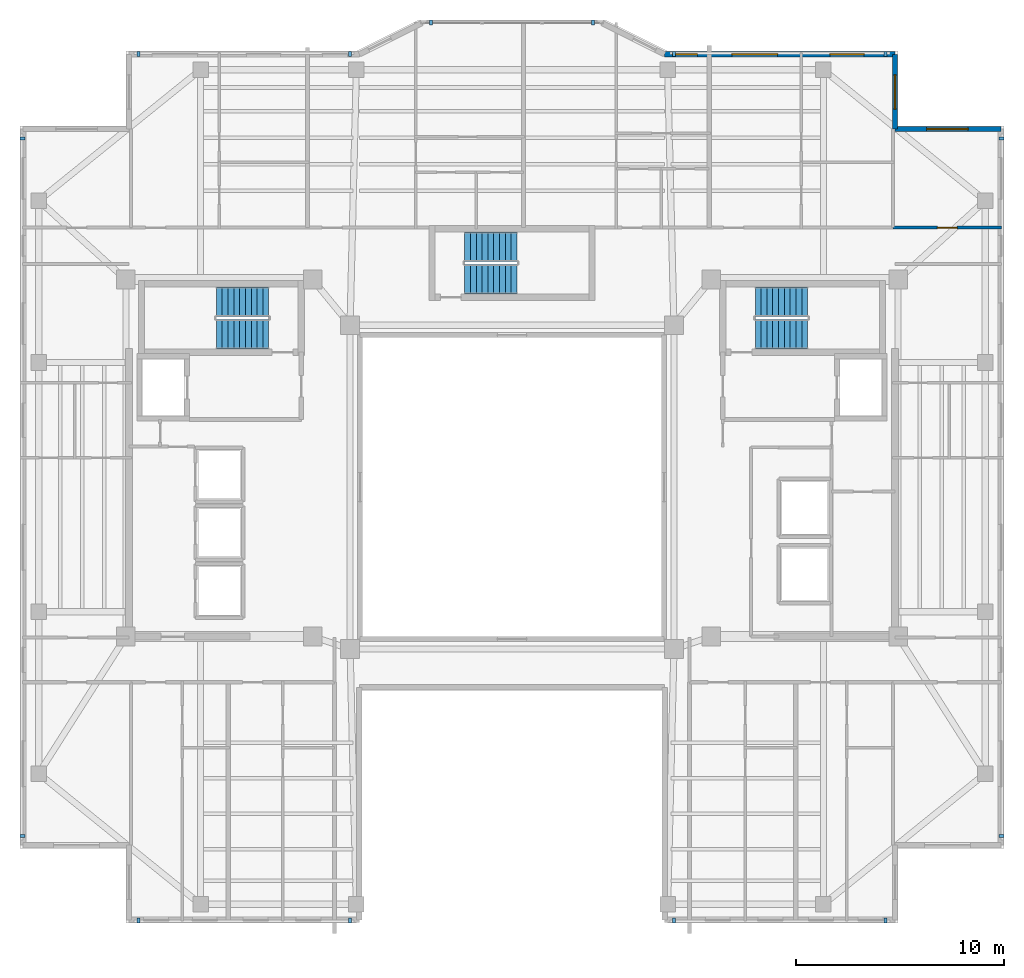
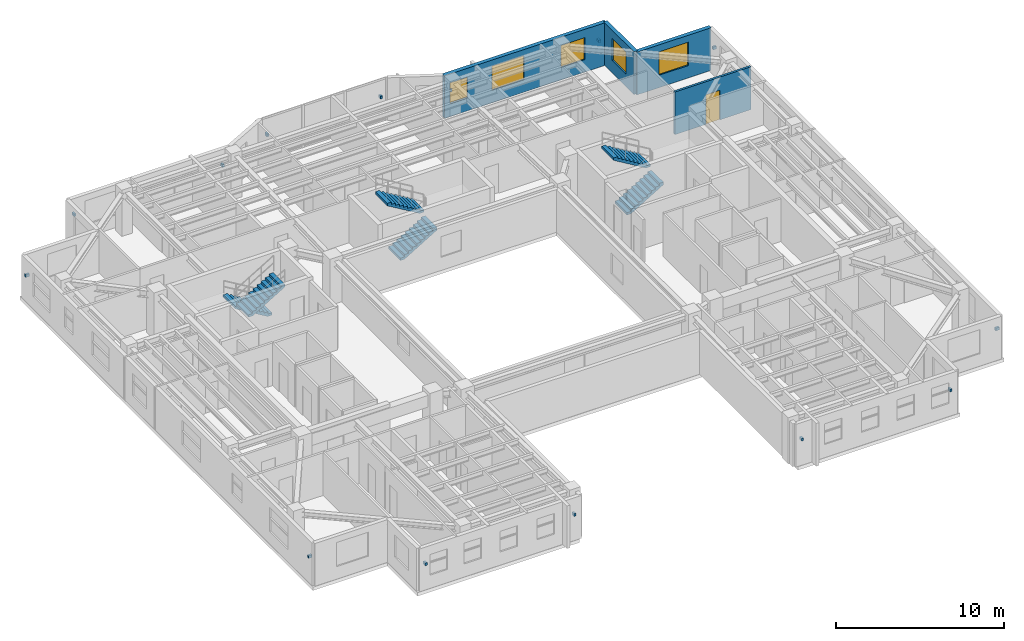
# One storey, part 9 of 12: 14 discrete accessories, 6 stair flights, 5 windows, 4 walls, 1 door, 6 openings, 3 elements without a shape of their own.
"""IFC4 building model written with IfcOpenShell, lengths in metres."""

from ifc_helpers import new_model, si_unit, direction, frame, frame_2d, origin, origin_2d, place, context, subcontext, project, spatial, polyline, rectangle, outline, extrude, material, layer, layer_set, type_object, element, fill, aggregate, save


model = new_model("IFC4")

# Units and contexts
model_context = context("Model", 3, precision=1e-05, world=origin(), true_north=direction((0.0, 1.0)))
body_context = subcontext(model_context, "Body", "Model", "MODEL_VIEW")
ifc_project = project(units=[si_unit("LENGTHUNIT", "METRE"), si_unit("AREAUNIT", "SQUARE_METRE"), si_unit("VOLUMEUNIT", "CUBIC_METRE"), si_unit("PLANEANGLEUNIT", "RADIAN"), si_unit("MASSUNIT", "GRAM", prefix="KILO")], contexts=[model_context])

# Site, building, storey
site_placement = place(None, origin())
site = spatial("IfcSite", under=ifc_project, at=site_placement, CompositionType="ELEMENT")
building_placement = place(site_placement, origin())
building = spatial("IfcBuilding", under=site, at=building_placement, Name="Tarnavaz Court Tower", CompositionType="ELEMENT")
storey_placement = place(building_placement, frame((0.0, 0.0, 210.35009765625)))
storey = spatial("IfcBuildingStorey", under=building, at=storey_placement, Name="L57", CompositionType="ELEMENT", Elevation=210.35009765625)

# Wall, openings, windows
ifc_material_1 = material(Name="Precast Concrete C40/50", Category="concrete")
ifc_layer_1 = layer(ifc_material_1, 0.260009765625)
ifc_layer_set_1 = layer_set([ifc_layer_1], Name="Precast Concrete C40/50")
wall_type_1 = type_object("IfcWallType", Name="WL-EXT-260", PredefinedType="SOLIDWALL", material=ifc_layer_set_1)
wall_1_placement = place(storey_placement, frame((7.35009765625, 20.85009765625, 0.0), z_axis=(0.0, 0.0, 1.0), x_axis=(1.0, 0.0, 0.0)))
wall_1 = element("IfcWall", 1, at=wall_1_placement, inside=storey, type_object=wall_type_1, Name="L57 Exterior Terracotta Facade Wall 09", PredefinedType="SOLIDWALL", context=body_context, shape_type="SweptSolid", body=[
    extrude(rectangle(XDim=11.099853515625, YDim=0.260009765625, at=frame_2d((5.5498046875, 0.0))), origin(), (0.0, 0.0, 1.0), 3.099853515625),
])
opening_1_placement = place(wall_1_placement, frame((0.375, 0.0, 0.949951171875)))
opening_1 = element("IfcOpeningElement", 2, at=opening_1_placement, cuts=wall_1, Name="Opening W05", PredefinedType="OPENING", context=body_context, shape_type="SweptSolid", body=[
    extrude(rectangle(XDim=1.199951171875, YDim=1.5, at=frame_2d((0.60009765625, 0.75))), frame((0.0, 0.139892578125, 0.0), z_axis=(0.0, -1.0, 0.0), x_axis=(1.0, 0.0, 0.0)), (0.0, 0.0, 1.0), 0.280029296875),
])
opening_2_placement = place(wall_1_placement, frame((3.24462890625, 0.0, 0.89990234375)))
opening_2 = element("IfcOpeningElement", 3, at=opening_2_placement, cuts=wall_1, Name="Opening W07", PredefinedType="OPENING", context=body_context, shape_type="SweptSolid", body=[
    extrude(rectangle(XDim=2.199951171875, YDim=1.75, at=frame_2d((1.10009765625, 0.875))), frame((0.0, 0.139892578125, 0.0), z_axis=(0.0, -1.0, 0.0), x_axis=(1.0, 0.0, 0.0)), (0.0, 0.0, 1.0), 0.280029296875),
])
opening_3_placement = place(wall_1_placement, frame((7.964599609375, 0.0, 0.89990234375)))
opening_3 = element("IfcOpeningElement", 4, at=opening_3_placement, cuts=wall_1, Name="Opening W02", PredefinedType="OPENING", context=body_context, shape_type="SweptSolid", body=[
    extrude(rectangle(XDim=1.64990234375, YDim=1.60009765625, at=frame_2d((0.824951171875, 0.800048828125))), frame((0.0, 0.139892578125, 0.0), z_axis=(0.0, -1.0, 0.0), x_axis=(1.0, 0.0, 0.0)), (0.0, 0.0, 1.0), 0.280029296875),
])
ifc_material_2 = material(Name="Double-Glazed Solar Low-E Glass", Category="glass")
window_type_1 = type_object("IfcWindowType", Name="WN-APT-1200", PartitioningType="SINGLE_PANEL", PredefinedType="WINDOW", material=ifc_material_2)
window_1_placement = place(opening_1_placement, origin())
window_1 = element("IfcWindow", 5, at=window_1_placement, inside=storey, type_object=window_type_1, Name="L57 Flat 03 Bedroom 1 Window", OverallHeight=1.5, OverallWidth=1.199951171875, PartitioningType="SINGLE_PANEL", PredefinedType="WINDOW", context=body_context, shape_type="SweptSolid", body=[
    extrude(rectangle(XDim=1.199951171875, YDim=1.5, at=frame_2d((0.60009765625, 0.75))), frame((0.0, 0.030029296875, 0.0), z_axis=(0.0, -1.0, 0.0), x_axis=(1.0, 0.0, 0.0)), (0.0, 0.0, 1.0), 0.06005859375),
])
fill(opening_1, window_1)
window_type_2 = type_object("IfcWindowType", Name="WN-APT-1650", PartitioningType="DOUBLE_PANEL_VERTICAL", PredefinedType="WINDOW", material=ifc_material_2)
window_2_placement = place(opening_3_placement, origin())
window_2 = element("IfcWindow", 6, at=window_2_placement, inside=storey, type_object=window_type_2, Name="L57 Flat 04 Kitchen Window", OverallHeight=1.60009765625, OverallWidth=1.64990234375, PartitioningType="SINGLE_PANEL", PredefinedType="WINDOW", context=body_context, shape_type="SweptSolid", body=[
    extrude(rectangle(XDim=1.64990234375, YDim=1.60009765625, at=frame_2d((0.824951171875, 0.800048828125))), frame((0.0, 0.030029296875, 0.0), z_axis=(0.0, -1.0, 0.0), x_axis=(1.0, 0.0, 0.0)), (0.0, 0.0, 1.0), 0.06005859375),
])
fill(opening_3, window_2)
window_type_3 = type_object("IfcWindowType", Name="WN-APT-2200", PartitioningType="TRIPLE_PANEL_VERTICAL", PredefinedType="WINDOW", material=ifc_material_2)
window_3_placement = place(opening_2_placement, origin())
window_3 = element("IfcWindow", 7, at=window_3_placement, inside=storey, type_object=window_type_3, Name="L57 Flat 04 Studio Living and Sleeping Room Window", OverallHeight=1.75, OverallWidth=2.199951171875, PartitioningType="SINGLE_PANEL", PredefinedType="WINDOW", context=body_context, shape_type="SweptSolid", body=[
    extrude(rectangle(XDim=2.199951171875, YDim=1.75, at=frame_2d((1.10009765625, 0.875))), frame((0.0, 0.030029296875, 0.0), z_axis=(0.0, -1.0, 0.0), x_axis=(1.0, 0.0, 0.0)), (0.0, 0.0, 1.0), 0.06005859375),
])
fill(opening_2, window_3)

# Wall, opening, window
wall_2_placement = place(storey_placement, frame((18.449951171875, 20.85009765625, 0.0), z_axis=(0.0, 0.0, 1.0), x_axis=(0.0, -1.0, 0.0)))
wall_2 = element("IfcWall", 8, at=wall_2_placement, inside=storey, type_object=wall_type_1, Name="L57 Exterior Terracotta Facade Wall 10", PredefinedType="SOLIDWALL", context=body_context, shape_type="SweptSolid", body=[
    extrude(rectangle(XDim=3.60009765625, YDim=0.260009765625, at=frame_2d((1.800048828125, 0.0))), origin(), (0.0, 0.0, 1.0), 3.099853515625),
])
opening_4_placement = place(wall_2_placement, frame((0.992431640625, 0.0, 0.89990234375)))
opening_4 = element("IfcOpeningElement", 9, at=opening_4_placement, cuts=wall_2, Name="Opening W02", PredefinedType="OPENING", context=body_context, shape_type="SweptSolid", body=[
    extrude(rectangle(XDim=1.64990234375, YDim=1.60009765625, at=frame_2d((0.824951171875, 0.800048828125))), frame((0.0, 0.139892578125, 0.0), z_axis=(0.0, -1.0, 0.0), x_axis=(1.0, 0.0, 0.0)), (0.0, 0.0, 1.0), 0.280029296875),
])
window_4_placement = place(opening_4_placement, origin())
window_4 = element("IfcWindow", 10, at=window_4_placement, inside=storey, type_object=window_type_2, Name="L57 Flat 04 Kitchen Window", OverallHeight=1.60009765625, OverallWidth=1.64990234375, PartitioningType="SINGLE_PANEL", PredefinedType="WINDOW", context=body_context, shape_type="SweptSolid", body=[
    extrude(rectangle(XDim=1.64990234375, YDim=1.60009765625, at=frame_2d((0.824951171875, 0.800048828125))), frame((0.0, 0.030029296875, 0.0), z_axis=(0.0, -1.0, 0.0), x_axis=(1.0, 0.0, 0.0)), (0.0, 0.0, 1.0), 0.06005859375),
])
fill(opening_4, window_4)

wall_3_placement = place(storey_placement, frame((18.449951171875, 17.25, 0.0), z_axis=(0.0, 0.0, 1.0), x_axis=(1.0, 0.0, 0.0)))
wall_3 = element("IfcWall", 11, at=wall_3_placement, inside=storey, type_object=wall_type_1, Name="L57 Exterior Terracotta Facade Wall 11", PredefinedType="SOLIDWALL", context=body_context, shape_type="SweptSolid", body=[
    extrude(rectangle(XDim=5.10009765625, YDim=0.260009765625, at=frame_2d((2.550048828125, 0.0))), origin(), (0.0, 0.0, 1.0), 3.099853515625),
])
opening_5_placement = place(wall_3_placement, frame((1.52490234375, 0.0, 0.89990234375)))
opening_5 = element("IfcOpeningElement", 12, at=opening_5_placement, cuts=wall_3, Name="Opening W08", PredefinedType="OPENING", context=body_context, shape_type="SweptSolid", body=[
    extrude(rectangle(XDim=2.0, YDim=1.699951171875, at=frame_2d((1.0, 0.85009765625))), frame((0.0, 0.139892578125, 0.0), z_axis=(0.0, -1.0, 0.0), x_axis=(1.0, 0.0, 0.0)), (0.0, 0.0, 1.0), 0.280029296875),
])
window_type_4 = type_object("IfcWindowType", Name="WN-APT-2000", PartitioningType="DOUBLE_PANEL_VERTICAL", PredefinedType="WINDOW", material=ifc_material_2)
window_5_placement = place(opening_5_placement, origin())
window_5 = element("IfcWindow", 13, at=window_5_placement, inside=storey, type_object=window_type_4, Name="L57 North-East Corner Sunroom Study Window", OverallHeight=1.699951171875, OverallWidth=2.0, PartitioningType="SINGLE_PANEL", PredefinedType="WINDOW", context=body_context, shape_type="SweptSolid", body=[
    extrude(rectangle(XDim=2.0, YDim=1.699951171875, at=frame_2d((1.0, 0.85009765625))), frame((0.0, 0.030029296875, 0.0), z_axis=(0.0, -1.0, 0.0), x_axis=(1.0, 0.0, 0.0)), (0.0, 0.0, 1.0), 0.06005859375),
])
fill(opening_5, window_5)

# Wall, opening, door
ifc_material_3 = material(Name="Gypsum Fire-Board on Acoustic Metal Stud", Category="masonry")
ifc_layer_2 = layer(ifc_material_3, 0.14990234375)
ifc_layer_set_2 = layer_set([ifc_layer_2], Name="Gypsum Fire-Board on Acoustic Metal Stud")
wall_type_2 = type_object("IfcWallType", Name="WL-FIRE-150", PredefinedType="PARTITIONING", material=ifc_layer_set_2)
wall_4_placement = place(storey_placement, frame((18.35009765625, 12.5, 0.0), z_axis=(0.0, 0.0, 1.0), x_axis=(1.0, 0.0, 0.0)))
wall_4 = element("IfcWall", 14, at=wall_4_placement, inside=storey, type_object=wall_type_2, Name="L57 Interior Partition 108", PredefinedType="PARTITIONING", context=body_context, shape_type="SweptSolid", body=[
    extrude(rectangle(XDim=5.22998046875, YDim=0.14990234375, at=frame_2d((2.614990234375, 0.0))), origin(), (0.0, 0.0, 1.0), 3.099853515625),
])
opening_6_placement = place(wall_4_placement, frame((2.139892578125, 0.0, 0.0)))
opening_6 = element("IfcOpeningElement", 15, at=opening_6_placement, cuts=wall_4, Name="Opening D13", PredefinedType="OPENING", context=body_context, shape_type="SweptSolid", body=[
    extrude(rectangle(XDim=0.949951171875, YDim=2.14990234375, at=frame_2d((0.47509765625, 1.074951171875))), frame((0.0, 0.0849609375, 0.0), z_axis=(0.0, -1.0, 0.0), x_axis=(1.0, 0.0, 0.0)), (0.0, 0.0, 1.0), 0.169921875),
])
ifc_material_4 = material(Name="Engineered Oak Timber", Category="wood")
door_type = type_object("IfcDoorType", Name="DR-INT-950", OperationType="NOTDEFINED", PredefinedType="DOOR", material=ifc_material_4)
door_placement = place(opening_6_placement, origin())
door = element("IfcDoor", 16, at=door_placement, inside=storey, type_object=door_type, Name="L57 NE Sunroom Door", OperationType="SINGLE_SWING_LEFT", OverallHeight=2.14990234375, OverallWidth=0.949951171875, PredefinedType="DOOR", context=body_context, shape_type="SweptSolid", body=[
    extrude(rectangle(XDim=0.949951171875, YDim=2.14990234375, at=frame_2d((0.47509765625, 1.074951171875))), frame((0.0, 0.02490234375, 0.0), z_axis=(0.0, -1.0, 0.0), x_axis=(1.0, 0.0, 0.0)), (0.0, 0.0, 1.0), 0.050048828125),
])
fill(opening_6, door)

# Stair, stair flights
ifc_material_5 = material(Name="Concrete C40/50", Category="concrete")
stair_type = type_object("IfcStairType", Name="ST-TWR-20R", PredefinedType="HALF_TURN_STAIR", material=ifc_material_5)
stair_1_placement = place(storey_placement, origin())
stair_1 = element("IfcStair", 17, at=stair_1_placement, inside=storey, type_object=stair_type, Name="L57 West Core Pressurized Exit Stair ST-W1", PredefinedType="HALF_TURN_STAIR")
stair_flight_type = type_object("IfcStairFlightType", Name="SFL-RC-20R", PredefinedType="STRAIGHT", material=ifc_material_5)
stair_flight_1_placement = place(storey_placement, frame((-11.719970703125, 8.929931640625, 0.0), z_axis=(0.0, 0.0, 1.0), x_axis=(-1.0, 0.0, 0.0)))
stair_flight_1 = element("IfcStairFlight", 18, at=stair_flight_1_placement, type_object=stair_flight_type, Name="ST-W1 flight 1", NumberOfRisers=10, NumberOfTreads=9, PredefinedType="STRAIGHT", RiserHeight=0.1675, TreadLength=0.28, context=body_context, shape_type="SweptSolid", body=[
    extrude(outline(polyline([(0.0, 0.0), (0.0, 0.16748046875), (0.280029296875, 0.16748046875), (0.280029296875, 0.3349609375), (0.56005859375, 0.3349609375), (0.56005859375, 0.50244140625), (0.840087890625, 0.50244140625), (0.840087890625, 0.669921875), (1.1201171875, 0.669921875), (1.1201171875, 0.83740234375), (1.39990234375, 0.83740234375), (1.39990234375, 1.0048828125), (1.679931640625, 1.0048828125), (1.679931640625, 1.172607421875), (1.9599609375, 1.172607421875), (1.9599609375, 1.340087890625), (2.239990234375, 1.340087890625), (2.239990234375, 1.507568359375), (2.52001953125, 1.507568359375), (2.52001953125, 1.675048828125), (2.52001953125, 1.332763671875), (0.2919921875, 0.0), (0.0, 0.0)])), frame((0.0, 0.7099609375, 0.0), z_axis=(0.0, -1.0, 0.0), x_axis=(1.0, 0.0, 0.0)), (0.0, 0.0, 1.0), 1.419921875),
])
stair_flight_2_placement = place(storey_placement, frame((-14.239990234375, 7.360107421875, 1.6748046875), z_axis=(0.0, 0.0, 1.0), x_axis=(1.0, 0.0, 0.0)))
stair_flight_2 = element("IfcStairFlight", 19, at=stair_flight_2_placement, type_object=stair_flight_type, Name="ST-W1 flight 2", NumberOfRisers=10, NumberOfTreads=9, PredefinedType="STRAIGHT", RiserHeight=0.1675, TreadLength=0.28, context=body_context, shape_type="SweptSolid", body=[
    extrude(outline(polyline([(0.0, 0.0), (0.0, 0.16748046875), (0.280029296875, 0.16748046875), (0.280029296875, 0.3349609375), (0.56005859375, 0.3349609375), (0.56005859375, 0.50244140625), (0.840087890625, 0.50244140625), (0.840087890625, 0.669921875), (1.1201171875, 0.669921875), (1.1201171875, 0.83740234375), (1.39990234375, 0.83740234375), (1.39990234375, 1.0048828125), (1.679931640625, 1.0048828125), (1.679931640625, 1.172607421875), (1.9599609375, 1.172607421875), (1.9599609375, 1.340087890625), (2.239990234375, 1.340087890625), (2.239990234375, 1.507568359375), (2.52001953125, 1.507568359375), (2.52001953125, 1.675048828125), (2.52001953125, 1.332763671875), (0.2919921875, 0.0), (0.0, 0.0)])), frame((0.0, 0.7099609375, 0.0), z_axis=(0.0, -1.0, 0.0), x_axis=(1.0, 0.0, 0.0)), (0.0, 0.0, 1.0), 1.419921875),
])
aggregate(stair_1, [stair_flight_1, stair_flight_2])

stair_2_placement = place(storey_placement, origin())
stair_2 = element("IfcStair", 20, at=stair_2_placement, inside=storey, type_object=stair_type, Name="L57 East Core Pressurized Exit Stair ST-E1", PredefinedType="HALF_TURN_STAIR")
stair_flight_3_placement = place(storey_placement, frame((11.719970703125, 7.360107421875, 0.0), z_axis=(0.0, 0.0, 1.0), x_axis=(1.0, 0.0, 0.0)))
stair_flight_3 = element("IfcStairFlight", 21, at=stair_flight_3_placement, type_object=stair_flight_type, Name="ST-E1 flight 1", NumberOfRisers=10, NumberOfTreads=9, PredefinedType="STRAIGHT", RiserHeight=0.1675, TreadLength=0.28, context=body_context, shape_type="SweptSolid", body=[
    extrude(outline(polyline([(0.0, 0.0), (0.0, 0.16748046875), (0.280029296875, 0.16748046875), (0.280029296875, 0.3349609375), (0.56005859375, 0.3349609375), (0.56005859375, 0.50244140625), (0.840087890625, 0.50244140625), (0.840087890625, 0.669921875), (1.1201171875, 0.669921875), (1.1201171875, 0.83740234375), (1.39990234375, 0.83740234375), (1.39990234375, 1.0048828125), (1.679931640625, 1.0048828125), (1.679931640625, 1.172607421875), (1.9599609375, 1.172607421875), (1.9599609375, 1.340087890625), (2.239990234375, 1.340087890625), (2.239990234375, 1.507568359375), (2.52001953125, 1.507568359375), (2.52001953125, 1.675048828125), (2.52001953125, 1.332763671875), (0.2919921875, 0.0), (0.0, 0.0)])), frame((0.0, 0.7099609375, 0.0), z_axis=(0.0, -1.0, 0.0), x_axis=(1.0, 0.0, 0.0)), (0.0, 0.0, 1.0), 1.419921875),
])
stair_flight_4_placement = place(storey_placement, frame((14.239990234375, 8.929931640625, 1.6748046875), z_axis=(0.0, 0.0, 1.0), x_axis=(-1.0, 0.0, 0.0)))
stair_flight_4 = element("IfcStairFlight", 22, at=stair_flight_4_placement, type_object=stair_flight_type, Name="ST-E1 flight 2", NumberOfRisers=10, NumberOfTreads=9, PredefinedType="STRAIGHT", RiserHeight=0.1675, TreadLength=0.28, context=body_context, shape_type="SweptSolid", body=[
    extrude(outline(polyline([(0.0, 0.0), (0.0, 0.16748046875), (0.280029296875, 0.16748046875), (0.280029296875, 0.3349609375), (0.56005859375, 0.3349609375), (0.56005859375, 0.50244140625), (0.840087890625, 0.50244140625), (0.840087890625, 0.669921875), (1.1201171875, 0.669921875), (1.1201171875, 0.83740234375), (1.39990234375, 0.83740234375), (1.39990234375, 1.0048828125), (1.679931640625, 1.0048828125), (1.679931640625, 1.172607421875), (1.9599609375, 1.172607421875), (1.9599609375, 1.340087890625), (2.239990234375, 1.340087890625), (2.239990234375, 1.507568359375), (2.52001953125, 1.507568359375), (2.52001953125, 1.675048828125), (2.52001953125, 1.332763671875), (0.2919921875, 0.0), (0.0, 0.0)])), frame((0.0, 0.7099609375, 0.0), z_axis=(0.0, -1.0, 0.0), x_axis=(1.0, 0.0, 0.0)), (0.0, 0.0, 1.0), 1.419921875),
])
aggregate(stair_2, [stair_flight_3, stair_flight_4])

stair_3_placement = place(storey_placement, origin())
stair_3 = element("IfcStair", 23, at=stair_3_placement, inside=storey, type_object=stair_type, Name="L57 North Ring Pressurized Exit Stair ST-N1", PredefinedType="HALF_TURN_STAIR")
stair_flight_5_placement = place(storey_placement, frame((-2.280029296875, 10.010009765625, 0.0), z_axis=(0.0, 0.0, 1.0), x_axis=(1.0, 0.0, 0.0)))
stair_flight_5 = element("IfcStairFlight", 24, at=stair_flight_5_placement, type_object=stair_flight_type, Name="ST-N1 flight 1", NumberOfRisers=10, NumberOfTreads=9, PredefinedType="STRAIGHT", RiserHeight=0.1675, TreadLength=0.28, context=body_context, shape_type="SweptSolid", body=[
    extrude(outline(polyline([(0.0, 0.0), (0.0, 0.16748046875), (0.280029296875, 0.16748046875), (0.280029296875, 0.3349609375), (0.56005859375, 0.3349609375), (0.56005859375, 0.50244140625), (0.840087890625, 0.50244140625), (0.840087890625, 0.669921875), (1.1201171875, 0.669921875), (1.1201171875, 0.83740234375), (1.39990234375, 0.83740234375), (1.39990234375, 1.0048828125), (1.679931640625, 1.0048828125), (1.679931640625, 1.172607421875), (1.9599609375, 1.172607421875), (1.9599609375, 1.340087890625), (2.239990234375, 1.340087890625), (2.239990234375, 1.507568359375), (2.52001953125, 1.507568359375), (2.52001953125, 1.675048828125), (2.52001953125, 1.332763671875), (0.2919921875, 0.0), (0.0, 0.0)])), frame((0.0, 0.7099609375, 0.0), z_axis=(0.0, -1.0, 0.0), x_axis=(1.0, 0.0, 0.0)), (0.0, 0.0, 1.0), 1.419921875),
])
stair_flight_6_placement = place(storey_placement, frame((0.239990234375, 11.580078125, 1.6748046875), z_axis=(0.0, 0.0, 1.0), x_axis=(-1.0, 0.0, 0.0)))
stair_flight_6 = element("IfcStairFlight", 25, at=stair_flight_6_placement, type_object=stair_flight_type, Name="ST-N1 flight 2", NumberOfRisers=10, NumberOfTreads=9, PredefinedType="STRAIGHT", RiserHeight=0.1675, TreadLength=0.28, context=body_context, shape_type="SweptSolid", body=[
    extrude(outline(polyline([(0.0, 0.0), (0.0, 0.16748046875), (0.280029296875, 0.16748046875), (0.280029296875, 0.3349609375), (0.56005859375, 0.3349609375), (0.56005859375, 0.50244140625), (0.840087890625, 0.50244140625), (0.840087890625, 0.669921875), (1.1201171875, 0.669921875), (1.1201171875, 0.83740234375), (1.39990234375, 0.83740234375), (1.39990234375, 1.0048828125), (1.679931640625, 1.0048828125), (1.679931640625, 1.172607421875), (1.9599609375, 1.172607421875), (1.9599609375, 1.340087890625), (2.239990234375, 1.340087890625), (2.239990234375, 1.507568359375), (2.52001953125, 1.507568359375), (2.52001953125, 1.675048828125), (2.52001953125, 1.332763671875), (0.2919921875, 0.0), (0.0, 0.0)])), frame((0.0, 0.7099609375, 0.0), z_axis=(0.0, -1.0, 0.0), x_axis=(1.0, 0.0, 0.0)), (0.0, 0.0, 1.0), 1.419921875),
])
aggregate(stair_3, [stair_flight_5, stair_flight_6])

# Discrete accessories
ifc_material_6 = material(Name="Anodised Aluminium 6063-T6", Category="aluminium")
discrete_accessory_type = type_object("IfcDiscreteAccessoryType", Name="DA-BRKT-ALU", PredefinedType="BRACKET", material=ifc_material_6)
for number, where, z_axis, x_axis, name in (
    (26, (-23.570068359375, -16.800048828125, 1.75), (0.0, 0.0, 1.0), (0.0, 1.0, 0.0), "L57 Baguette Outrigger Bracket FBG02-1"),
    (27, (-23.570068359375, 16.800048828125, 1.75), (0.0, 0.0, 1.0), (0.0, 1.0, 0.0), "L57 Baguette Outrigger Bracket FBG02-2"),
    (28, (-18.0, 20.8701171875, 1.75), (0.0, 0.0, 1.0), (1.0, 0.0, 0.0), "L57 Baguette Outrigger Bracket FBG05-1"),
    (29, (-7.800048828125, 20.8701171875, 1.75), (0.0, 0.0, 1.0), (1.0, 0.0, 0.0), "L57 Baguette Outrigger Bracket FBG05-2"),
    (30, (-3.89990234375, 22.3701171875, 1.69970703125), (0.0, 0.0, 1.0), (1.0, 0.0, 0.0), "L57 Baguette Outrigger Bracket PBG7-1"),
    (31, (3.89990234375, 22.3701171875, 1.69970703125), (0.0, 0.0, 1.0), (1.0, 0.0, 0.0), "L57 Baguette Outrigger Bracket PBG7-2"),
    (32, (7.800048828125, 20.8701171875, 1.75), (0.0, 0.0, 1.0), (1.0, 0.0, 0.0), "L57 Baguette Outrigger Bracket FBG09-1"),
    (33, (18.0, 20.8701171875, 1.75), (0.0, 0.0, 1.0), (1.0, 0.0, 0.0), "L57 Baguette Outrigger Bracket FBG09-2"),
    (34, (23.570068359375, 16.800048828125, 1.75), (0.0, 0.0, 1.0), (0.0, -1.0, 0.0), "L57 Baguette Outrigger Bracket FBG12-1"),
    (35, (23.570068359375, -16.800048828125, 1.75), (0.0, 0.0, 1.0), (0.0, -1.0, 0.0), "L57 Baguette Outrigger Bracket FBG12-2"),
    (36, (18.0, -20.8701171875, 1.75), (0.0, 0.0, 1.0), (-1.0, 0.0, 0.0), "L57 Baguette Outrigger Bracket FBG15-1"),
    (37, (7.800048828125, -20.8701171875, 1.75), (0.0, 0.0, 1.0), (-1.0, 0.0, 0.0), "L57 Baguette Outrigger Bracket FBG15-2"),
    (38, (-7.800048828125, -20.8701171875, 1.75), (0.0, 0.0, 1.0), (-1.0, 0.0, 0.0), "L57 Baguette Outrigger Bracket FBG19-1"),
    (39, (-18.0, -20.8701171875, 1.75), (0.0, 0.0, 1.0), (-1.0, 0.0, 0.0), "L57 Baguette Outrigger Bracket FBG19-2"),
):
    element("IfcDiscreteAccessory", number, at=place(storey_placement, frame(where, z_axis=z_axis, x_axis=x_axis)), inside=storey, type_object=discrete_accessory_type, Name=name, PredefinedType="BRACKET", context=body_context, shape_type="SweptSolid", body=[
        extrude(rectangle(XDim=0.139892578125, YDim=0.239990234375, at=origin_2d()), origin(), (0.0, 0.0, 1.0), 0.199951171875),
    ])

save(model, "model.ifc")
